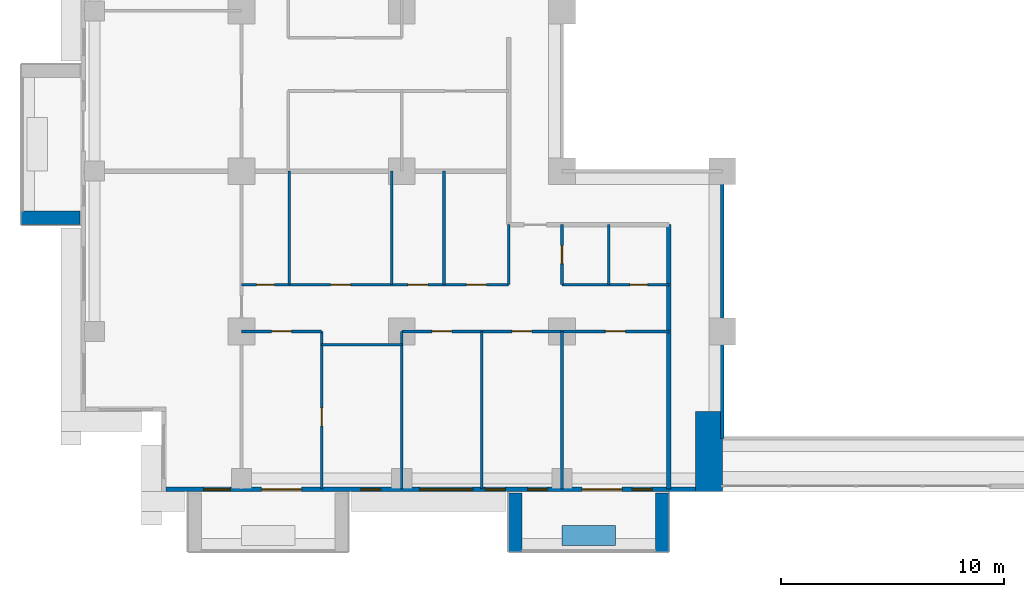
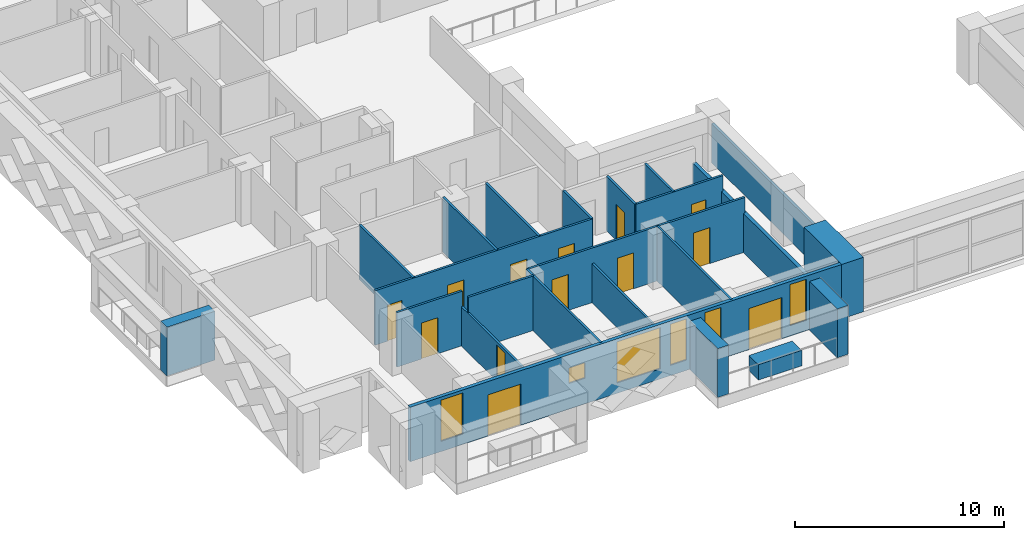
# One storey, part 6 of 17: 23 walls, 13 doors, 6 windows, 19 openings.
"""IFC4 building model written with IfcOpenShell, lengths in metres."""

from ifc_helpers import new_model, si_unit, direction, frame, frame_2d, origin, place, context, subcontext, project, spatial, rectangle, extrude, material, layer, layer_set, type_object, element, fill, save


model = new_model("IFC4")

# Units and contexts
model_context = context("Model", 3, precision=1e-05, world=origin(), true_north=direction((0.0, 1.0)))
body_context = subcontext(model_context, "Body", "Model", "MODEL_VIEW")
ifc_project = project(units=[si_unit("LENGTHUNIT", "METRE"), si_unit("AREAUNIT", "SQUARE_METRE"), si_unit("VOLUMEUNIT", "CUBIC_METRE"), si_unit("PLANEANGLEUNIT", "RADIAN"), si_unit("MASSUNIT", "GRAM", prefix="KILO")], contexts=[model_context])

# Site, building, storey
site_placement = place(None, origin())
site = spatial("IfcSite", under=ifc_project, at=site_placement, CompositionType="ELEMENT")
building_placement = place(site_placement, origin())
building = spatial("IfcBuilding", under=site, at=building_placement, Name="Saffron Iwan Residences", CompositionType="ELEMENT")
storey_placement = place(building_placement, frame((0.0, 0.0, 97.0)))
storey = spatial("IfcBuildingStorey", under=building, at=storey_placement, Name="L25", CompositionType="ELEMENT", Elevation=97.0)

# Walls
ifc_material_1 = material(Name="Fire-rated glazing", Category="glass")
ifc_layer_1 = layer(ifc_material_1, 0.14990234375)
ifc_layer_set_1 = layer_set([ifc_layer_1], Name="Fire-rated glazing")
wall_type_1 = type_object("IfcWallType", Name="Atrium glazed screen 150", PredefinedType="SOLIDWALL", material=ifc_layer_set_1)
wall_1_placement = place(storey_placement, frame((43.199951171875, 36.0, 0.0), z_axis=(0.0, 0.0, 1.0), x_axis=(0.0, 1.0, 0.0)))
element("IfcWall", 1, at=wall_1_placement, inside=storey, type_object=wall_type_1, Name="W-L25-SCREEN-v43.2-36", PredefinedType="SOLIDWALL", context=body_context, shape_type="SweptSolid", body=[
    extrude(rectangle(XDim=12.0, YDim=0.14990234375, at=frame_2d((6.0, 0.0))), origin(), (0.0, 0.0, 1.0), 2.280029296875),
])
ifc_material_2 = material(Name="Concrete C50/60 white painted", Category="concrete")
ifc_layer_2 = layer(ifc_material_2, 0.60009765625)
ifc_layer_set_2 = layer_set([ifc_layer_2], Name="Concrete C50/60 white painted")
wall_type_2 = type_object("IfcWallType", Name="BALCONY FIN 600", PredefinedType="SOLIDWALL", material=ifc_layer_set_2)
for number, where, z_axis, x_axis, name in (
    (2, (14.35009765625, 45.89990234375, 0.0), (0.0, 0.0, 1.0), (-1.0, 0.0, 0.0), "Balcony fin L25 F8-1b"),
    (3, (33.89990234375, 33.550048828125, 0.0), (0.0, 0.0, 1.0), (0.0, -1.0, 0.0), "Balcony fin L25 11-1a"),
    (4, (40.5, 33.550048828125, 0.0), (0.0, 0.0, 1.0), (0.0, -1.0, 0.0), "Balcony fin L25 11-1b"),
):
    element("IfcWall", number, at=place(storey_placement, frame(where, z_axis=z_axis, x_axis=x_axis)), inside=storey, type_object=wall_type_2, Name=name, PredefinedType="SOLIDWALL", context=body_context, shape_type="SweptSolid", body=[
        extrude(rectangle(XDim=2.650146484375, YDim=0.60009765625, at=frame_2d((1.3251953125, 0.0))), origin(), (0.0, 0.0, 1.0), 2.85009765625),
    ])
ifc_material_3 = material(Name="Concrete C35/45 white painted", Category="concrete")
ifc_layer_3 = layer(ifc_material_3, 0.14990234375)
ifc_layer_set_3 = layer_set([ifc_layer_3], Name="Concrete C35/45 white painted")
wall_type_3 = type_object("IfcWallType", Name="BALCONY PLANTER", PredefinedType="SOLIDWALL", material=ifc_layer_set_3)
wall_2_placement = place(storey_placement, frame((36.0, 31.625, 0.0), z_axis=(0.0, 0.0, 1.0), x_axis=(1.0, 0.0, 0.0)))
element("IfcWall", 5, at=wall_2_placement, inside=storey, type_object=wall_type_3, Name="PLANTER L25 11-1", PredefinedType="SOLIDWALL", context=body_context, shape_type="SweptSolid", body=[
    extrude(rectangle(XDim=2.39990234375, YDim=0.89990234375, at=frame_2d((1.199951171875, 0.0))), origin(), (0.0, 0.0, 1.0), 0.89990234375),
])

# Wall, openings, doors, windows
ifc_material_4 = material(Name="Concrete C40/50", Category="concrete")
ifc_layer_4 = layer(ifc_material_4, 0.199951171875)
ifc_layer_set_4 = layer_set([ifc_layer_4], Name="Concrete C40/50")
wall_type_4 = type_object("IfcWallType", Name="EXTERNAL WALL 200", PredefinedType="SOLIDWALL", material=ifc_layer_set_4)
wall_3_placement = place(storey_placement, frame((18.199951171875, 33.699951171875, 0.0), z_axis=(0.0, 0.0, 1.0), x_axis=(1.0, 0.0, 0.0)))
wall_3 = element("IfcWall", 6, at=wall_3_placement, inside=storey, type_object=wall_type_4, Name="External wall L25 F11.0", PredefinedType="SOLIDWALL", context=body_context, shape_type="SweptSolid", body=[
    extrude(rectangle(XDim=23.800048828125, YDim=0.199951171875, at=frame_2d((11.89990234375, 0.0))), origin(), (0.0, 0.0, 1.0), 3.179931640625),
])
opening_1_placement = place(wall_3_placement, frame((4.300048828125, 0.0, 0.0)))
opening_1 = element("IfcOpeningElement", 7, at=opening_1_placement, cuts=wall_3, Name="Opening BD1", PredefinedType="OPENING", context=body_context, shape_type="SweptSolid", body=[
    extrude(rectangle(XDim=1.800048828125, YDim=2.39990234375, at=frame_2d((0.89990234375, 1.199951171875))), frame((0.0, 0.10986328125, 0.0), z_axis=(0.0, -1.0, 0.0), x_axis=(1.0, 0.0, 0.0)), (0.0, 0.0, 1.0), 0.219970703125),
])
opening_2_placement = place(wall_3_placement, frame((18.699951171875, 0.0, 0.0)))
opening_2 = element("IfcOpeningElement", 8, at=opening_2_placement, cuts=wall_3, Name="Opening BD1", PredefinedType="OPENING", context=body_context, shape_type="SweptSolid", body=[
    extrude(rectangle(XDim=1.800048828125, YDim=2.39990234375, at=frame_2d((0.89990234375, 1.199951171875))), frame((0.0, 0.10986328125, 0.0), z_axis=(0.0, -1.0, 0.0), x_axis=(1.0, 0.0, 0.0)), (0.0, 0.0, 1.0), 0.219970703125),
])
opening_3_placement = place(wall_3_placement, frame((1.699951171875, 0.0, 0.60009765625)))
opening_3 = element("IfcOpeningElement", 9, at=opening_3_placement, cuts=wall_3, Name="Opening W3", PredefinedType="OPENING", context=body_context, shape_type="SweptSolid", body=[
    extrude(rectangle(XDim=1.199951171875, YDim=2.39990234375, at=frame_2d((0.60009765625, 1.199951171875))), frame((0.0, 0.10986328125, 0.0), z_axis=(0.0, -1.0, 0.0), x_axis=(1.0, 0.0, 0.0)), (0.0, 0.0, 1.0), 0.219970703125),
])
opening_4_placement = place(wall_3_placement, frame((8.75, 0.0, 1.5)))
opening_4 = element("IfcOpeningElement", 10, at=opening_4_placement, cuts=wall_3, Name="Opening W6", PredefinedType="OPENING", context=body_context, shape_type="SweptSolid", body=[
    extrude(rectangle(XDim=0.89990234375, YDim=0.89990234375, at=frame_2d((0.449951171875, 0.449951171875))), frame((0.0, 0.10986328125, 0.0), z_axis=(0.0, -1.0, 0.0), x_axis=(1.0, 0.0, 0.0)), (0.0, 0.0, 1.0), 0.219970703125),
])
opening_5_placement = place(wall_3_placement, frame((11.39990234375, 0.0, 0.60009765625)))
opening_5 = element("IfcOpeningElement", 11, at=opening_5_placement, cuts=wall_3, Name="Opening W1", PredefinedType="OPENING", context=body_context, shape_type="SweptSolid", body=[
    extrude(rectangle(XDim=2.39990234375, YDim=2.39990234375, at=frame_2d((1.199951171875, 1.199951171875))), frame((0.0, 0.10986328125, 0.0), z_axis=(0.0, -1.0, 0.0), x_axis=(1.0, 0.0, 0.0)), (0.0, 0.0, 1.0), 0.219970703125),
])
opening_6_placement = place(wall_3_placement, frame((14.35009765625, 0.0, 0.60009765625)))
opening_6 = element("IfcOpeningElement", 12, at=opening_6_placement, cuts=wall_3, Name="Opening W10", PredefinedType="OPENING", context=body_context, shape_type="SweptSolid", body=[
    extrude(rectangle(XDim=0.89990234375, YDim=2.39990234375, at=frame_2d((0.449951171875, 1.199951171875))), frame((0.0, 0.10986328125, 0.0), z_axis=(0.0, -1.0, 0.0), x_axis=(1.0, 0.0, 0.0)), (0.0, 0.0, 1.0), 0.219970703125),
])
opening_7_placement = place(wall_3_placement, frame((16.25, 0.0, 0.60009765625)))
opening_7 = element("IfcOpeningElement", 13, at=opening_7_placement, cuts=wall_3, Name="Opening W10", PredefinedType="OPENING", context=body_context, shape_type="SweptSolid", body=[
    extrude(rectangle(XDim=0.89990234375, YDim=2.39990234375, at=frame_2d((0.449951171875, 1.199951171875))), frame((0.0, 0.10986328125, 0.0), z_axis=(0.0, -1.0, 0.0), x_axis=(1.0, 0.0, 0.0)), (0.0, 0.0, 1.0), 0.219970703125),
])
opening_8_placement = place(wall_3_placement, frame((20.949951171875, 0.0, 0.60009765625)))
opening_8 = element("IfcOpeningElement", 14, at=opening_8_placement, cuts=wall_3, Name="Opening W10", PredefinedType="OPENING", context=body_context, shape_type="SweptSolid", body=[
    extrude(rectangle(XDim=0.89990234375, YDim=2.39990234375, at=frame_2d((0.449951171875, 1.199951171875))), frame((0.0, 0.10986328125, 0.0), z_axis=(0.0, -1.0, 0.0), x_axis=(1.0, 0.0, 0.0)), (0.0, 0.0, 1.0), 0.219970703125),
])
ifc_material_5 = material(Name="Clear glass, laminated double glazed", Category="glass")
door_type_1 = type_object("IfcDoorType", Name="BALCONY DOOR 1800 x 2400", OperationType="DOUBLE_DOOR_SLIDING", PredefinedType="DOOR", material=ifc_material_5)
door_1_placement = place(opening_1_placement, origin())
door_1 = element("IfcDoor", 15, at=door_1_placement, inside=storey, type_object=door_type_1, Name="Balcony door L25 F11.0", OperationType="DOUBLE_DOOR_SLIDING", OverallHeight=2.39990234375, OverallWidth=1.800048828125, PredefinedType="DOOR", context=body_context, shape_type="SweptSolid", body=[
    extrude(rectangle(XDim=1.800048828125, YDim=2.39990234375, at=frame_2d((0.89990234375, 1.199951171875))), frame((0.0, 0.02490234375, 0.0), z_axis=(0.0, -1.0, 0.0), x_axis=(1.0, 0.0, 0.0)), (0.0, 0.0, 1.0), 0.050048828125),
])
fill(opening_1, door_1)
door_2_placement = place(opening_2_placement, origin())
door_2 = element("IfcDoor", 16, at=door_2_placement, inside=storey, type_object=door_type_1, Name="Balcony door L25 F11.1", OperationType="DOUBLE_DOOR_SLIDING", OverallHeight=2.39990234375, OverallWidth=1.800048828125, PredefinedType="DOOR", context=body_context, shape_type="SweptSolid", body=[
    extrude(rectangle(XDim=1.800048828125, YDim=2.39990234375, at=frame_2d((0.89990234375, 1.199951171875))), frame((0.0, 0.02490234375, 0.0), z_axis=(0.0, -1.0, 0.0), x_axis=(1.0, 0.0, 0.0)), (0.0, 0.0, 1.0), 0.050048828125),
])
fill(opening_2, door_2)
window_type_1 = type_object("IfcWindowType", Name="WINDOW 1200 x 2400", PartitioningType="SINGLE_PANEL", PredefinedType="WINDOW", material=ifc_material_5)
window_1_placement = place(opening_3_placement, origin())
window_1 = element("IfcWindow", 17, at=window_1_placement, inside=storey, type_object=window_type_1, Name="Window L25 F11.2", OverallHeight=2.39990234375, OverallWidth=1.199951171875, PartitioningType="SINGLE_PANEL", PredefinedType="WINDOW", context=body_context, shape_type="SweptSolid", body=[
    extrude(rectangle(XDim=1.199951171875, YDim=2.39990234375, at=frame_2d((0.60009765625, 1.199951171875))), frame((0.0, 0.030029296875, 0.0), z_axis=(0.0, -1.0, 0.0), x_axis=(1.0, 0.0, 0.0)), (0.0, 0.0, 1.0), 0.06005859375),
])
fill(opening_3, window_1)
window_type_2 = type_object("IfcWindowType", Name="WINDOW 2400 x 2400", PartitioningType="DOUBLE_PANEL_VERTICAL", PredefinedType="WINDOW", material=ifc_material_5)
window_2_placement = place(opening_5_placement, origin())
window_2 = element("IfcWindow", 18, at=window_2_placement, inside=storey, type_object=window_type_2, Name="Window L25 F11.4", OverallHeight=2.39990234375, OverallWidth=2.39990234375, PartitioningType="DOUBLE_PANEL_VERTICAL", PredefinedType="WINDOW", context=body_context, shape_type="SweptSolid", body=[
    extrude(rectangle(XDim=2.39990234375, YDim=2.39990234375, at=frame_2d((1.199951171875, 1.199951171875))), frame((0.0, 0.030029296875, 0.0), z_axis=(0.0, -1.0, 0.0), x_axis=(1.0, 0.0, 0.0)), (0.0, 0.0, 1.0), 0.06005859375),
])
fill(opening_5, window_2)
window_type_3 = type_object("IfcWindowType", Name="WINDOW 900 x 2400", PartitioningType="SINGLE_PANEL", PredefinedType="WINDOW", material=ifc_material_5)
window_3_placement = place(opening_6_placement, origin())
window_3 = element("IfcWindow", 19, at=window_3_placement, inside=storey, type_object=window_type_3, Name="Window L25 F11.5", OverallHeight=2.39990234375, OverallWidth=0.89990234375, PartitioningType="SINGLE_PANEL", PredefinedType="WINDOW", context=body_context, shape_type="SweptSolid", body=[
    extrude(rectangle(XDim=0.89990234375, YDim=2.39990234375, at=frame_2d((0.449951171875, 1.199951171875))), frame((0.0, 0.030029296875, 0.0), z_axis=(0.0, -1.0, 0.0), x_axis=(1.0, 0.0, 0.0)), (0.0, 0.0, 1.0), 0.06005859375),
])
fill(opening_6, window_3)
window_4_placement = place(opening_7_placement, origin())
window_4 = element("IfcWindow", 20, at=window_4_placement, inside=storey, type_object=window_type_3, Name="Window L25 F11.6", OverallHeight=2.39990234375, OverallWidth=0.89990234375, PartitioningType="SINGLE_PANEL", PredefinedType="WINDOW", context=body_context, shape_type="SweptSolid", body=[
    extrude(rectangle(XDim=0.89990234375, YDim=2.39990234375, at=frame_2d((0.449951171875, 1.199951171875))), frame((0.0, 0.030029296875, 0.0), z_axis=(0.0, -1.0, 0.0), x_axis=(1.0, 0.0, 0.0)), (0.0, 0.0, 1.0), 0.06005859375),
])
fill(opening_7, window_4)
window_5_placement = place(opening_8_placement, origin())
window_5 = element("IfcWindow", 21, at=window_5_placement, inside=storey, type_object=window_type_3, Name="Window L25 F11.7", OverallHeight=2.39990234375, OverallWidth=0.89990234375, PartitioningType="SINGLE_PANEL", PredefinedType="WINDOW", context=body_context, shape_type="SweptSolid", body=[
    extrude(rectangle(XDim=0.89990234375, YDim=2.39990234375, at=frame_2d((0.449951171875, 1.199951171875))), frame((0.0, 0.030029296875, 0.0), z_axis=(0.0, -1.0, 0.0), x_axis=(1.0, 0.0, 0.0)), (0.0, 0.0, 1.0), 0.06005859375),
])
fill(opening_8, window_5)
window_type_4 = type_object("IfcWindowType", Name="WINDOW 900 x 900 BATH", PartitioningType="SINGLE_PANEL", PredefinedType="WINDOW", material=ifc_material_5)
window_6_placement = place(opening_4_placement, origin())
window_6 = element("IfcWindow", 22, at=window_6_placement, inside=storey, type_object=window_type_4, Name="Window L25 F11.3", OverallHeight=0.89990234375, OverallWidth=0.89990234375, PartitioningType="SINGLE_PANEL", PredefinedType="WINDOW", context=body_context, shape_type="SweptSolid", body=[
    extrude(rectangle(XDim=0.89990234375, YDim=0.89990234375, at=frame_2d((0.449951171875, 0.449951171875))), frame((0.0, 0.030029296875, 0.0), z_axis=(0.0, -1.0, 0.0), x_axis=(1.0, 0.0, 0.0)), (0.0, 0.0, 1.0), 0.06005859375),
])
fill(opening_4, window_6)

# Wall
ifc_material_6 = material(Name="Gypsum board partition")
ifc_layer_5 = layer(ifc_material_6, 0.1201171875)
ifc_layer_set_5 = layer_set([ifc_layer_5], Name="Gypsum board partition")
wall_type_5 = type_object("IfcWallType", Name="Flat partition 120", PredefinedType="PARTITIONING", material=ifc_layer_set_5)
wall_4_placement = place(storey_placement, frame((25.199951171875, 40.199951171875, 0.0), z_axis=(0.0, 0.0, 1.0), x_axis=(1.0, 0.0, 0.0)))
element("IfcWall", 23, at=wall_4_placement, inside=storey, type_object=wall_type_5, Name="W-L25-PART-h40.2-25.2", PredefinedType="PARTITIONING", context=body_context, shape_type="SweptSolid", body=[
    extrude(rectangle(XDim=3.60009765625, YDim=0.1201171875, at=frame_2d((1.800048828125, 0.0))), origin(), (0.0, 0.0, 1.0), 3.179931640625),
])

# Wall, opening, door
wall_5_placement = place(storey_placement, frame((21.60009765625, 40.800048828125, 0.0), z_axis=(0.0, 0.0, 1.0), x_axis=(1.0, 0.0, 0.0)))
wall_5 = element("IfcWall", 24, at=wall_5_placement, inside=storey, type_object=wall_type_5, Name="W-L25-PART-h40.8-21.6", PredefinedType="PARTITIONING", context=body_context, shape_type="SweptSolid", body=[
    extrude(rectangle(XDim=3.599853515625, YDim=0.1201171875, at=frame_2d((1.7998046875, 0.0))), origin(), (0.0, 0.0, 1.0), 3.179931640625),
])
opening_9_placement = place(wall_5_placement, frame((1.35009765625, 0.0, 0.0)))
opening_9 = element("IfcOpeningElement", 25, at=opening_9_placement, cuts=wall_5, Name="Opening FD2", PredefinedType="OPENING", context=body_context, shape_type="SweptSolid", body=[
    extrude(rectangle(XDim=0.89990234375, YDim=2.10009765625, at=frame_2d((0.449951171875, 1.050048828125))), frame((0.0, 0.070068359375, 0.0), z_axis=(0.0, -1.0, 0.0), x_axis=(1.0, 0.0, 0.0)), (0.0, 0.0, 1.0), 0.14013671875),
])
ifc_material_7 = material(Name="Timber door", Category="wood")
door_type_2 = type_object("IfcDoorType", Name="Flat door 900", OperationType="NOTDEFINED", PredefinedType="DOOR", material=ifc_material_7)
door_3_placement = place(opening_9_placement, origin())
door_3 = element("IfcDoor", 26, at=door_3_placement, inside=storey, type_object=door_type_2, Name="Door L25-003", OperationType="SINGLE_SWING_RIGHT", OverallHeight=2.10009765625, OverallWidth=0.89990234375, PredefinedType="DOOR", context=body_context, shape_type="SweptSolid", body=[
    extrude(rectangle(XDim=0.89990234375, YDim=2.10009765625, at=frame_2d((0.449951171875, 1.050048828125))), frame((0.0, 0.02490234375, 0.0), z_axis=(0.0, -1.0, 0.0), x_axis=(1.0, 0.0, 0.0)), (0.0, 0.0, 1.0), 0.050048828125),
])
fill(opening_9, door_3)

# Wall, openings, doors
wall_6_placement = place(storey_placement, frame((28.800048828125, 40.800048828125, 0.0), z_axis=(0.0, 0.0, 1.0), x_axis=(1.0, 0.0, 0.0)))
wall_6 = element("IfcWall", 27, at=wall_6_placement, inside=storey, type_object=wall_type_5, Name="W-L25-PART-h40.8-28.8", PredefinedType="PARTITIONING", context=body_context, shape_type="SweptSolid", body=[
    extrude(rectangle(XDim=12.0, YDim=0.1201171875, at=frame_2d((6.0, 0.0))), origin(), (0.0, 0.0, 1.0), 3.179931640625),
])
opening_10_placement = place(wall_6_placement, frame((1.35009765625, 0.0, 0.0)))
opening_10 = element("IfcOpeningElement", 28, at=opening_10_placement, cuts=wall_6, Name="Opening FD2", PredefinedType="OPENING", context=body_context, shape_type="SweptSolid", body=[
    extrude(rectangle(XDim=0.89990234375, YDim=2.10009765625, at=frame_2d((0.449951171875, 1.050048828125))), frame((0.0, 0.070068359375, 0.0), z_axis=(0.0, -1.0, 0.0), x_axis=(1.0, 0.0, 0.0)), (0.0, 0.0, 1.0), 0.14013671875),
])
opening_11_placement = place(wall_6_placement, frame((4.949951171875, 0.0, 0.0)))
opening_11 = element("IfcOpeningElement", 29, at=opening_11_placement, cuts=wall_6, Name="Opening FD2", PredefinedType="OPENING", context=body_context, shape_type="SweptSolid", body=[
    extrude(rectangle(XDim=0.89990234375, YDim=2.10009765625, at=frame_2d((0.449951171875, 1.050048828125))), frame((0.0, 0.070068359375, 0.0), z_axis=(0.0, -1.0, 0.0), x_axis=(1.0, 0.0, 0.0)), (0.0, 0.0, 1.0), 0.14013671875),
])
opening_12_placement = place(wall_6_placement, frame((9.14990234375, 0.0, 0.0)))
opening_12 = element("IfcOpeningElement", 30, at=opening_12_placement, cuts=wall_6, Name="Opening FD2", PredefinedType="OPENING", context=body_context, shape_type="SweptSolid", body=[
    extrude(rectangle(XDim=0.89990234375, YDim=2.10009765625, at=frame_2d((0.449951171875, 1.050048828125))), frame((0.0, 0.070068359375, 0.0), z_axis=(0.0, -1.0, 0.0), x_axis=(1.0, 0.0, 0.0)), (0.0, 0.0, 1.0), 0.14013671875),
])
door_4_placement = place(opening_10_placement, origin())
door_4 = element("IfcDoor", 31, at=door_4_placement, inside=storey, type_object=door_type_2, Name="Door L25-005", OperationType="SINGLE_SWING_LEFT", OverallHeight=2.10009765625, OverallWidth=0.89990234375, PredefinedType="DOOR", context=body_context, shape_type="SweptSolid", body=[
    extrude(rectangle(XDim=0.89990234375, YDim=2.10009765625, at=frame_2d((0.449951171875, 1.050048828125))), frame((0.0, 0.02490234375, 0.0), z_axis=(0.0, -1.0, 0.0), x_axis=(1.0, 0.0, 0.0)), (0.0, 0.0, 1.0), 0.050048828125),
])
fill(opening_10, door_4)
door_5_placement = place(opening_11_placement, origin())
door_5 = element("IfcDoor", 32, at=door_5_placement, inside=storey, type_object=door_type_2, Name="Door L25-006", OperationType="SINGLE_SWING_RIGHT", OverallHeight=2.10009765625, OverallWidth=0.89990234375, PredefinedType="DOOR", context=body_context, shape_type="SweptSolid", body=[
    extrude(rectangle(XDim=0.89990234375, YDim=2.10009765625, at=frame_2d((0.449951171875, 1.050048828125))), frame((0.0, 0.02490234375, 0.0), z_axis=(0.0, -1.0, 0.0), x_axis=(1.0, 0.0, 0.0)), (0.0, 0.0, 1.0), 0.050048828125),
])
fill(opening_11, door_5)
door_6_placement = place(opening_12_placement, origin())
door_6 = element("IfcDoor", 33, at=door_6_placement, inside=storey, type_object=door_type_2, Name="Door L25-007", OperationType="SINGLE_SWING_LEFT", OverallHeight=2.10009765625, OverallWidth=0.89990234375, PredefinedType="DOOR", context=body_context, shape_type="SweptSolid", body=[
    extrude(rectangle(XDim=0.89990234375, YDim=2.10009765625, at=frame_2d((0.449951171875, 1.050048828125))), frame((0.0, 0.02490234375, 0.0), z_axis=(0.0, -1.0, 0.0), x_axis=(1.0, 0.0, 0.0)), (0.0, 0.0, 1.0), 0.050048828125),
])
fill(opening_12, door_6)

wall_7_placement = place(storey_placement, frame((21.60009765625, 42.89990234375, 0.0), z_axis=(0.0, 0.0, 1.0), x_axis=(1.0, 0.0, 0.0)))
wall_7 = element("IfcWall", 34, at=wall_7_placement, inside=storey, type_object=wall_type_5, Name="W-L25-PART-h42.9-21.6", PredefinedType="PARTITIONING", context=body_context, shape_type="SweptSolid", body=[
    extrude(rectangle(XDim=12.0, YDim=0.1201171875, at=frame_2d((6.0, 0.0))), origin(), (0.0, 0.0, 1.0), 3.179931640625),
])
opening_13_placement = place(wall_7_placement, frame((0.675048828125, 0.0, 0.0)))
opening_13 = element("IfcOpeningElement", 35, at=opening_13_placement, cuts=wall_7, Name="Opening FD3", PredefinedType="OPENING", context=body_context, shape_type="SweptSolid", body=[
    extrude(rectangle(XDim=0.800048828125, YDim=2.10009765625, at=frame_2d((0.39990234375, 1.050048828125))), frame((0.0, 0.070068359375, 0.0), z_axis=(0.0, -1.0, 0.0), x_axis=(1.0, 0.0, 0.0)), (0.0, 0.0, 1.0), 0.14013671875),
])
opening_14_placement = place(wall_7_placement, frame((4.0, 0.0, 0.0)))
opening_14 = element("IfcOpeningElement", 36, at=opening_14_placement, cuts=wall_7, Name="Opening FD2", PredefinedType="OPENING", context=body_context, shape_type="SweptSolid", body=[
    extrude(rectangle(XDim=0.89990234375, YDim=2.10009765625, at=frame_2d((0.449951171875, 1.050048828125))), frame((0.0, 0.070068359375, 0.0), z_axis=(0.0, -1.0, 0.0), x_axis=(1.0, 0.0, 0.0)), (0.0, 0.0, 1.0), 0.14013671875),
])
opening_15_placement = place(wall_7_placement, frame((7.47509765625, 0.0, 0.0)))
opening_15 = element("IfcOpeningElement", 37, at=opening_15_placement, cuts=wall_7, Name="Opening FD2", PredefinedType="OPENING", context=body_context, shape_type="SweptSolid", body=[
    extrude(rectangle(XDim=0.89990234375, YDim=2.10009765625, at=frame_2d((0.449951171875, 1.050048828125))), frame((0.0, 0.070068359375, 0.0), z_axis=(0.0, -1.0, 0.0), x_axis=(1.0, 0.0, 0.0)), (0.0, 0.0, 1.0), 0.14013671875),
])
opening_16_placement = place(wall_7_placement, frame((10.10009765625, 0.0, 0.0)))
opening_16 = element("IfcOpeningElement", 38, at=opening_16_placement, cuts=wall_7, Name="Opening FD2", PredefinedType="OPENING", context=body_context, shape_type="SweptSolid", body=[
    extrude(rectangle(XDim=0.89990234375, YDim=2.10009765625, at=frame_2d((0.449951171875, 1.050048828125))), frame((0.0, 0.070068359375, 0.0), z_axis=(0.0, -1.0, 0.0), x_axis=(1.0, 0.0, 0.0)), (0.0, 0.0, 1.0), 0.14013671875),
])
door_type_3 = type_object("IfcDoorType", Name="Bathroom door 800", OperationType="NOTDEFINED", PredefinedType="DOOR", material=ifc_material_7)
door_7_placement = place(opening_13_placement, origin())
door_7 = element("IfcDoor", 39, at=door_7_placement, inside=storey, type_object=door_type_3, Name="Door L25-008", OperationType="SINGLE_SWING_LEFT", OverallHeight=2.10009765625, OverallWidth=0.800048828125, PredefinedType="DOOR", context=body_context, shape_type="SweptSolid", body=[
    extrude(rectangle(XDim=0.800048828125, YDim=2.10009765625, at=frame_2d((0.39990234375, 1.050048828125))), frame((0.0, 0.02490234375, 0.0), z_axis=(0.0, -1.0, 0.0), x_axis=(1.0, 0.0, 0.0)), (0.0, 0.0, 1.0), 0.050048828125),
])
fill(opening_13, door_7)
door_8_placement = place(opening_14_placement, origin())
door_8 = element("IfcDoor", 40, at=door_8_placement, inside=storey, type_object=door_type_2, Name="Door L25-009", OperationType="SINGLE_SWING_RIGHT", OverallHeight=2.10009765625, OverallWidth=0.89990234375, PredefinedType="DOOR", context=body_context, shape_type="SweptSolid", body=[
    extrude(rectangle(XDim=0.89990234375, YDim=2.10009765625, at=frame_2d((0.449951171875, 1.050048828125))), frame((0.0, 0.02490234375, 0.0), z_axis=(0.0, -1.0, 0.0), x_axis=(1.0, 0.0, 0.0)), (0.0, 0.0, 1.0), 0.050048828125),
])
fill(opening_14, door_8)
door_9_placement = place(opening_15_placement, origin())
door_9 = element("IfcDoor", 41, at=door_9_placement, inside=storey, type_object=door_type_2, Name="Door L25-010", OperationType="SINGLE_SWING_LEFT", OverallHeight=2.10009765625, OverallWidth=0.89990234375, PredefinedType="DOOR", context=body_context, shape_type="SweptSolid", body=[
    extrude(rectangle(XDim=0.89990234375, YDim=2.10009765625, at=frame_2d((0.449951171875, 1.050048828125))), frame((0.0, 0.02490234375, 0.0), z_axis=(0.0, -1.0, 0.0), x_axis=(1.0, 0.0, 0.0)), (0.0, 0.0, 1.0), 0.050048828125),
])
fill(opening_15, door_9)
door_10_placement = place(opening_16_placement, origin())
door_10 = element("IfcDoor", 42, at=door_10_placement, inside=storey, type_object=door_type_2, Name="Door L25-011", OperationType="SINGLE_SWING_LEFT", OverallHeight=2.10009765625, OverallWidth=0.89990234375, PredefinedType="DOOR", context=body_context, shape_type="SweptSolid", body=[
    extrude(rectangle(XDim=0.89990234375, YDim=2.10009765625, at=frame_2d((0.449951171875, 1.050048828125))), frame((0.0, 0.02490234375, 0.0), z_axis=(0.0, -1.0, 0.0), x_axis=(1.0, 0.0, 0.0)), (0.0, 0.0, 1.0), 0.050048828125),
])
fill(opening_16, door_10)

# Wall, opening, door
wall_8_placement = place(storey_placement, frame((36.0, 42.89990234375, 0.0), z_axis=(0.0, 0.0, 1.0), x_axis=(1.0, 0.0, 0.0)))
wall_8 = element("IfcWall", 43, at=wall_8_placement, inside=storey, type_object=wall_type_5, Name="W-L25-PART-h42.9-36", PredefinedType="PARTITIONING", context=body_context, shape_type="SweptSolid", body=[
    extrude(rectangle(XDim=4.800048828125, YDim=0.1201171875, at=frame_2d((2.39990234375, 0.0))), origin(), (0.0, 0.0, 1.0), 3.179931640625),
])
opening_17_placement = place(wall_8_placement, frame((3.050048828125, 0.0, 0.0)))
opening_17 = element("IfcOpeningElement", 44, at=opening_17_placement, cuts=wall_8, Name="Opening FD3", PredefinedType="OPENING", context=body_context, shape_type="SweptSolid", body=[
    extrude(rectangle(XDim=0.800048828125, YDim=2.10009765625, at=frame_2d((0.39990234375, 1.050048828125))), frame((0.0, 0.070068359375, 0.0), z_axis=(0.0, -1.0, 0.0), x_axis=(1.0, 0.0, 0.0)), (0.0, 0.0, 1.0), 0.14013671875),
])
door_11_placement = place(opening_17_placement, origin())
door_11 = element("IfcDoor", 45, at=door_11_placement, inside=storey, type_object=door_type_3, Name="Door L25-013", OperationType="SINGLE_SWING_LEFT", OverallHeight=2.10009765625, OverallWidth=0.800048828125, PredefinedType="DOOR", context=body_context, shape_type="SweptSolid", body=[
    extrude(rectangle(XDim=0.800048828125, YDim=2.10009765625, at=frame_2d((0.39990234375, 1.050048828125))), frame((0.0, 0.02490234375, 0.0), z_axis=(0.0, -1.0, 0.0), x_axis=(1.0, 0.0, 0.0)), (0.0, 0.0, 1.0), 0.050048828125),
])
fill(opening_17, door_11)

# Wall
wall_9_placement = place(storey_placement, frame((23.75, 42.89990234375, 0.0), z_axis=(0.0, 0.0, 1.0), x_axis=(0.0, 1.0, 0.0)))
element("IfcWall", 46, at=wall_9_placement, inside=storey, type_object=wall_type_5, Name="W-L25-PART-v23.75-42.9", PredefinedType="PARTITIONING", context=body_context, shape_type="SweptSolid", body=[
    extrude(rectangle(XDim=5.10009765625, YDim=0.1201171875, at=frame_2d((2.550048828125, 0.0))), origin(), (0.0, 0.0, 1.0), 3.179931640625),
])

# Wall, opening, door
wall_10_placement = place(storey_placement, frame((25.199951171875, 33.72509765625, 0.0), z_axis=(0.0, 0.0, 1.0), x_axis=(0.0, 1.0, 0.0)))
wall_10 = element("IfcWall", 47, at=wall_10_placement, inside=storey, type_object=wall_type_5, Name="W-L25-PART-v25.2-33.725", PredefinedType="PARTITIONING", context=body_context, shape_type="SweptSolid", body=[
    extrude(rectangle(XDim=7.074951171875, YDim=0.1201171875, at=frame_2d((3.53759765625, 0.0))), origin(), (0.0, 0.0, 1.0), 2.280029296875),
])
opening_18_placement = place(wall_10_placement, frame((2.83740234375, 0.0, 0.0)))
opening_18 = element("IfcOpeningElement", 48, at=opening_18_placement, cuts=wall_10, Name="Opening FD3", PredefinedType="OPENING", context=body_context, shape_type="SweptSolid", body=[
    extrude(rectangle(XDim=0.800048828125, YDim=2.10009765625, at=frame_2d((0.39990234375, 1.050048828125))), frame((0.0, 0.070068359375, 0.0), z_axis=(0.0, -1.0, 0.0), x_axis=(1.0, 0.0, 0.0)), (0.0, 0.0, 1.0), 0.14013671875),
])
door_12_placement = place(opening_18_placement, origin())
door_12 = element("IfcDoor", 49, at=door_12_placement, inside=storey, type_object=door_type_3, Name="Door L25-004", OperationType="SINGLE_SWING_LEFT", OverallHeight=2.10009765625, OverallWidth=0.800048828125, PredefinedType="DOOR", context=body_context, shape_type="SweptSolid", body=[
    extrude(rectangle(XDim=0.800048828125, YDim=2.10009765625, at=frame_2d((0.39990234375, 1.050048828125))), frame((0.0, 0.02490234375, 0.0), z_axis=(0.0, -1.0, 0.0), x_axis=(1.0, 0.0, 0.0)), (0.0, 0.0, 1.0), 0.050048828125),
])
fill(opening_18, door_12)

# Walls
wall_11_placement = place(storey_placement, frame((28.35009765625, 42.89990234375, 0.0), z_axis=(0.0, 0.0, 1.0), x_axis=(0.0, 1.0, 0.0)))
element("IfcWall", 50, at=wall_11_placement, inside=storey, type_object=wall_type_5, Name="W-L25-PART-v28.35-42.9", PredefinedType="PARTITIONING", context=body_context, shape_type="SweptSolid", body=[
    extrude(rectangle(XDim=5.10009765625, YDim=0.1201171875, at=frame_2d((2.550048828125, 0.0))), origin(), (0.0, 0.0, 1.0), 3.179931640625),
])
wall_12_placement = place(storey_placement, frame((28.800048828125, 33.72509765625, 0.0), z_axis=(0.0, 0.0, 1.0), x_axis=(0.0, 1.0, 0.0)))
element("IfcWall", 51, at=wall_12_placement, inside=storey, type_object=wall_type_5, Name="W-L25-PART-v28.8-33.725", PredefinedType="PARTITIONING", context=body_context, shape_type="SweptSolid", body=[
    extrude(rectangle(XDim=7.074951171875, YDim=0.1201171875, at=frame_2d((3.53759765625, 0.0))), origin(), (0.0, 0.0, 1.0), 3.179931640625),
])
wall_13_placement = place(storey_placement, frame((30.699951171875, 42.89990234375, 0.0), z_axis=(0.0, 0.0, 1.0), x_axis=(0.0, 1.0, 0.0)))
element("IfcWall", 52, at=wall_13_placement, inside=storey, type_object=wall_type_5, Name="W-L25-PART-v30.7-42.9", PredefinedType="PARTITIONING", context=body_context, shape_type="SweptSolid", body=[
    extrude(rectangle(XDim=5.10009765625, YDim=0.1201171875, at=frame_2d((2.550048828125, 0.0))), origin(), (0.0, 0.0, 1.0), 3.179931640625),
])
wall_14_placement = place(storey_placement, frame((32.39990234375, 33.72509765625, 0.0), z_axis=(0.0, 0.0, 1.0), x_axis=(0.0, 1.0, 0.0)))
element("IfcWall", 53, at=wall_14_placement, inside=storey, type_object=wall_type_5, Name="W-L25-PART-v32.4-33.725", PredefinedType="PARTITIONING", context=body_context, shape_type="SweptSolid", body=[
    extrude(rectangle(XDim=7.074951171875, YDim=0.1201171875, at=frame_2d((3.53759765625, 0.0))), origin(), (0.0, 0.0, 1.0), 2.280029296875),
])
wall_15_placement = place(storey_placement, frame((33.60009765625, 42.89990234375, 0.0), z_axis=(0.0, 0.0, 1.0), x_axis=(0.0, 1.0, 0.0)))
element("IfcWall", 54, at=wall_15_placement, inside=storey, type_object=wall_type_5, Name="W-L25-PART-v33.6-42.9", PredefinedType="PARTITIONING", context=body_context, shape_type="SweptSolid", body=[
    extrude(rectangle(XDim=2.7001953125, YDim=0.1201171875, at=frame_2d((1.35009765625, 0.0))), origin(), (0.0, 0.0, 1.0), 3.179931640625),
])
wall_16_placement = place(storey_placement, frame((36.0, 33.72509765625, 0.0), z_axis=(0.0, 0.0, 1.0), x_axis=(0.0, 1.0, 0.0)))
element("IfcWall", 55, at=wall_16_placement, inside=storey, type_object=wall_type_5, Name="W-L25-PART-v36-33.725", PredefinedType="PARTITIONING", context=body_context, shape_type="SweptSolid", body=[
    extrude(rectangle(XDim=7.074951171875, YDim=0.1201171875, at=frame_2d((3.53759765625, 0.0))), origin(), (0.0, 0.0, 1.0), 3.179931640625),
])

# Wall, opening, door
wall_17_placement = place(storey_placement, frame((36.0, 42.89990234375, 0.0), z_axis=(0.0, 0.0, 1.0), x_axis=(0.0, 1.0, 0.0)))
wall_17 = element("IfcWall", 56, at=wall_17_placement, inside=storey, type_object=wall_type_5, Name="W-L25-PART-v36-42.9", PredefinedType="PARTITIONING", context=body_context, shape_type="SweptSolid", body=[
    extrude(rectangle(XDim=2.7001953125, YDim=0.1201171875, at=frame_2d((1.35009765625, 0.0))), origin(), (0.0, 0.0, 1.0), 3.179931640625),
])
opening_19_placement = place(wall_17_placement, frame((0.949951171875, 0.0, 0.0)))
opening_19 = element("IfcOpeningElement", 57, at=opening_19_placement, cuts=wall_17, Name="Opening FD3", PredefinedType="OPENING", context=body_context, shape_type="SweptSolid", body=[
    extrude(rectangle(XDim=0.800048828125, YDim=2.10009765625, at=frame_2d((0.39990234375, 1.050048828125))), frame((0.0, 0.070068359375, 0.0), z_axis=(0.0, -1.0, 0.0), x_axis=(1.0, 0.0, 0.0)), (0.0, 0.0, 1.0), 0.14013671875),
])
door_13_placement = place(opening_19_placement, origin())
door_13 = element("IfcDoor", 58, at=door_13_placement, inside=storey, type_object=door_type_3, Name="Door L25-012", OperationType="SINGLE_SWING_RIGHT", OverallHeight=2.10009765625, OverallWidth=0.800048828125, PredefinedType="DOOR", context=body_context, shape_type="SweptSolid", body=[
    extrude(rectangle(XDim=0.800048828125, YDim=2.10009765625, at=frame_2d((0.39990234375, 1.050048828125))), frame((0.0, 0.02490234375, 0.0), z_axis=(0.0, -1.0, 0.0), x_axis=(1.0, 0.0, 0.0)), (0.0, 0.0, 1.0), 0.050048828125),
])
fill(opening_19, door_13)

# Walls
wall_18_placement = place(storey_placement, frame((38.10009765625, 42.89990234375, 0.0), z_axis=(0.0, 0.0, 1.0), x_axis=(0.0, 1.0, 0.0)))
element("IfcWall", 59, at=wall_18_placement, inside=storey, type_object=wall_type_5, Name="W-L25-PART-v38.1-42.9", PredefinedType="PARTITIONING", context=body_context, shape_type="SweptSolid", body=[
    extrude(rectangle(XDim=2.7001953125, YDim=0.1201171875, at=frame_2d((1.35009765625, 0.0))), origin(), (0.0, 0.0, 1.0), 3.179931640625),
])
ifc_material_8 = material(Name="Fire-rated gypsum board wall")
ifc_layer_6 = layer(ifc_material_8, 0.199951171875)
ifc_layer_set_6 = layer_set([ifc_layer_6], Name="Fire-rated gypsum board wall")
wall_type_6 = type_object("IfcWallType", Name="Gallery wall 200", PredefinedType="SOLIDWALL", material=ifc_layer_set_6)
wall_19_placement = place(storey_placement, frame((40.800048828125, 33.72509765625, 0.0), z_axis=(0.0, 0.0, 1.0), x_axis=(0.0, 1.0, 0.0)))
element("IfcWall", 60, at=wall_19_placement, inside=storey, type_object=wall_type_6, Name="W-L25-CORR-v40.8-33.725", PredefinedType="SOLIDWALL", context=body_context, shape_type="SweptSolid", body=[
    extrude(rectangle(XDim=11.875, YDim=0.199951171875, at=frame_2d((5.9375, 0.0))), origin(), (0.0, 0.0, 1.0), 2.280029296875),
])
ifc_material_9 = material(Name="Concrete C60/75", Category="concrete")
ifc_layer_7 = layer(ifc_material_9, 1.199951171875)
ifc_layer_set_7 = layer_set([ifc_layer_7], Name="Concrete C60/75")
wall_type_7 = type_object("IfcWallType", Name="WALL IWAN PIER 1200 C60/75 3180 HIGH", PredefinedType="SHEAR", material=ifc_layer_set_7)
wall_20_placement = place(storey_placement, frame((42.60009765625, 33.60009765625, 0.0), z_axis=(0.0, 0.0, 1.0), x_axis=(0.0, 1.0, 0.0)))
element("IfcWall", 61, at=wall_20_placement, inside=storey, type_object=wall_type_7, Name="IWAN PIER", PredefinedType="SHEAR", context=body_context, shape_type="SweptSolid", body=[
    extrude(rectangle(XDim=3.599853515625, YDim=1.199951171875, at=frame_2d((1.7998046875, 0.0))), origin(), (0.0, 0.0, 1.0), 3.179931640625),
])

save(model, "model.ifc")
